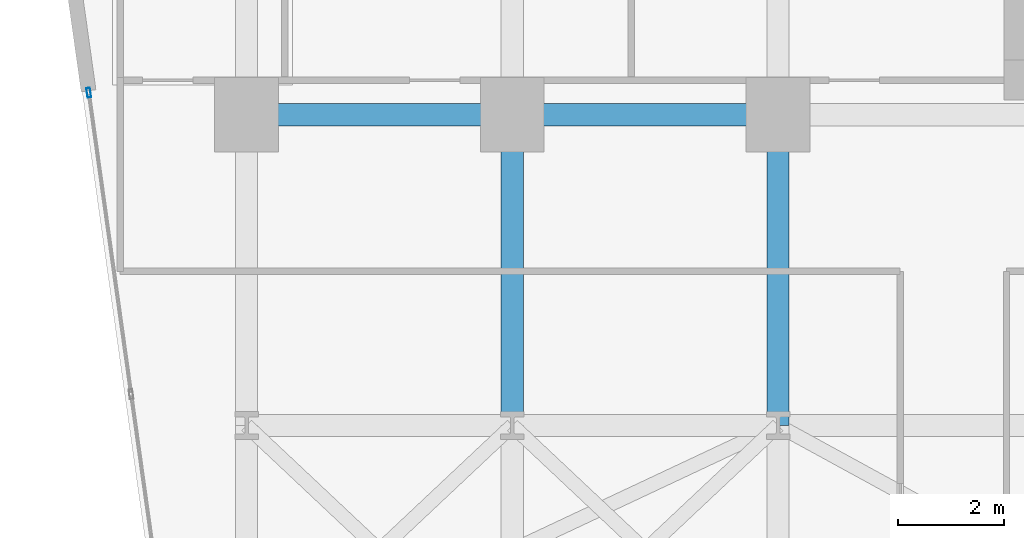
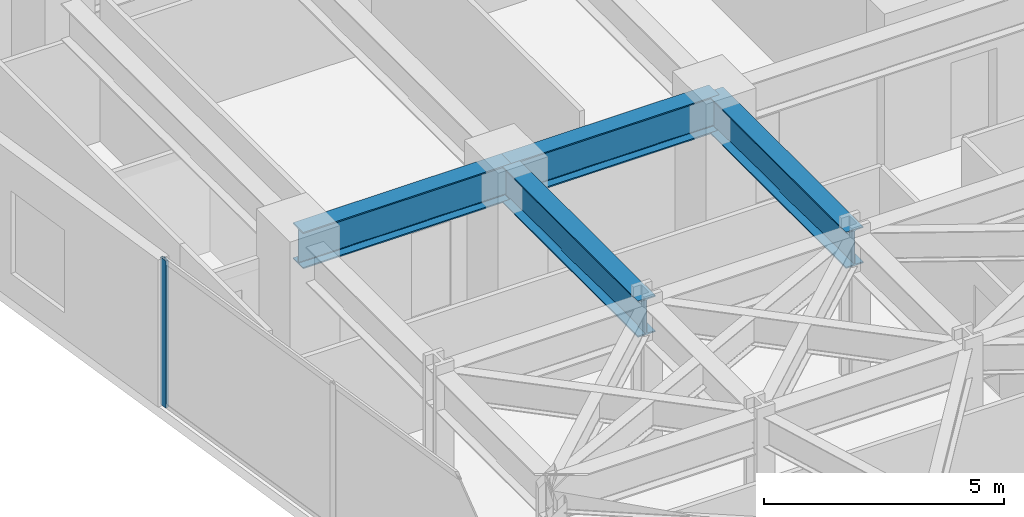
# One storey, part 17 of 24: 4 beams, 1 member, 1 element without a shape of its own.
"""IFC4 building model written with IfcOpenShell, lengths in metres."""

from ifc_helpers import new_model, si_unit, direction, frame, origin, origin_2d, place, context, subcontext, project, spatial, hollow_rectangle, i_section, extrude, material, layer, layer_set, material_profile, profile_set, type_object, element, aggregate, save


model = new_model("IFC4")

# Units and contexts
model_context = context("Model", 3, precision=1e-05, world=origin(), true_north=direction((0.0, 1.0)))
body_context = subcontext(model_context, "Body", "Model", "MODEL_VIEW")
ifc_project = project(units=[si_unit("LENGTHUNIT", "METRE"), si_unit("AREAUNIT", "SQUARE_METRE"), si_unit("VOLUMEUNIT", "CUBIC_METRE"), si_unit("PLANEANGLEUNIT", "RADIAN"), si_unit("MASSUNIT", "GRAM", prefix="KILO")], contexts=[model_context])

# Site, building, storey
site_placement = place(None, origin())
site = spatial("IfcSite", under=ifc_project, at=site_placement, CompositionType="ELEMENT")
building_placement = place(site_placement, origin())
building = spatial("IfcBuilding", under=site, at=building_placement, Name="Kravanh Interchange Tower", CompositionType="ELEMENT")
storey_placement = place(building_placement, frame((0.0, 0.0, 53.5)))
storey = spatial("IfcBuildingStorey", under=building, at=storey_placement, Name="L12", CompositionType="ELEMENT", Elevation=53.5)

# Curtain wall, member
ifc_material_1 = material(Name="Anodised Bronze Aluminium", Category="aluminium")
ifc_layer = layer(ifc_material_1, 0.179931640625)
ifc_layer_set = layer_set([ifc_layer], Name="Unitised Curtain Wall System CW-Z1 Lower Office")
curtain_wall_type = type_object("IfcCurtainWallType", Name="Unitised Curtain Wall System CW-Z1 Lower Office", PredefinedType="NOTDEFINED", material=ifc_layer_set)
curtain_wall_placement = place(storey_placement, origin())
curtain_wall = element("IfcCurtainWall", 1, at=curtain_wall_placement, inside=storey, type_object=curtain_wall_type, Name="L12 Unitised Curtain Wall CW-L12-01", PredefinedType="NOTDEFINED")
ifc_material_2 = material(Name="Anodised Bronze Aluminium", Category="aluminium")
ifc_material_profile_1 = material_profile(ifc_material_2, hollow_rectangle(XDim=0.070068359375, YDim=0.179931640625, WallThickness=0.00390625, at=origin_2d()), Name="ALU70X180X4")
ifc_profile_set_1 = profile_set([ifc_material_profile_1], Name="Anodised Bronze Aluminium")
member_type = type_object("IfcMemberType", Name="Curtain Wall Mullion ALU70X180X4 Bronze", PredefinedType="MULLION", material=ifc_profile_set_1)
member_placement = place(storey_placement, frame((5.6298828125, 37.765380859375, 0.0), z_axis=(0.0, 0.0, 1.0), x_axis=(-0.990267585682, -0.139176538065, 0.0)))
member = element("IfcMember", 2, at=member_placement, type_object=member_type, Name="CW-Z1 mullion 7", PredefinedType="MULLION", context=body_context, shape_type="SweptSolid", body=[
    extrude(hollow_rectangle(XDim=0.070068359375, YDim=0.179931640625, WallThickness=0.00390625, at=origin_2d()), origin(), (0.0, 0.0, 1.0), 3.739990234375),
])
aggregate(curtain_wall, [member])

# Beams
ifc_material_3 = material(Name="Structural Steel S355", Category="steel")
ifc_material_profile_2 = material_profile(ifc_material_3, i_section(OverallWidth=0.41796875, OverallDepth=0.927001953125, WebThickness=0.019287109375, FlangeThickness=0.031982421875, FilletRadius=0.028076171875, at=origin_2d()), Name="W36X231")
ifc_profile_set_2 = profile_set([ifc_material_profile_2], Name="Structural Steel S355")
beam_type = type_object("IfcBeamType", Name="Floor Beam W36X231 Structural Steel S355", PredefinedType="BEAM", material=ifc_profile_set_2)
beam_1_placement = place(storey_placement, frame((18.60009765625, 37.35009765625, 3.276611328125), z_axis=(-1.0, 0.0, 0.0), x_axis=(0.0, -1.0, 0.0)))
element("IfcBeam", 3, at=beam_1_placement, inside=storey, type_object=beam_type, Name="L12 Primary Floor Girder 28", PredefinedType="BEAM", context=body_context, shape_type="SweptSolid", body=[
    extrude(i_section(OverallWidth=0.41796875, OverallDepth=0.927001953125, WebThickness=0.019287109375, FlangeThickness=0.031982421875, FilletRadius=0.028076171875, at=origin_2d()), origin(), (0.0, 0.0, 1.0), 5.0),
])
beam_2_placement = place(storey_placement, frame((18.60009765625, 37.35009765625, 3.276611328125), z_axis=(0.0, -1.0, 0.0), x_axis=(1.0, 0.0, 0.0)))
element("IfcBeam", 4, at=beam_2_placement, inside=storey, type_object=beam_type, Name="L12 Primary Floor Girder 29", PredefinedType="BEAM", context=body_context, shape_type="SweptSolid", body=[
    extrude(i_section(OverallWidth=0.41796875, OverallDepth=0.927001953125, WebThickness=0.019287109375, FlangeThickness=0.031982421875, FilletRadius=0.028076171875, at=origin_2d()), origin(), (0.0, 0.0, 1.0), 5.85009765625),
])
beam_3_placement = place(storey_placement, frame((13.60009765625, 37.35009765625, 3.276611328125), z_axis=(-1.0, 0.0, 0.0), x_axis=(0.0, -1.0, 0.0)))
element("IfcBeam", 5, at=beam_3_placement, inside=storey, type_object=beam_type, Name="L12 Primary Floor Girder 32", PredefinedType="BEAM", context=body_context, shape_type="SweptSolid", body=[
    extrude(i_section(OverallWidth=0.41796875, OverallDepth=0.927001953125, WebThickness=0.019287109375, FlangeThickness=0.031982421875, FilletRadius=0.028076171875, at=origin_2d()), origin(), (0.0, 0.0, 1.0), 5.0),
])
beam_4_placement = place(storey_placement, frame((13.60009765625, 37.35009765625, 3.276611328125), z_axis=(0.0, -1.0, 0.0), x_axis=(1.0, 0.0, 0.0)))
element("IfcBeam", 6, at=beam_4_placement, inside=storey, type_object=beam_type, Name="L12 Primary Floor Girder 33", PredefinedType="BEAM", context=body_context, shape_type="SweptSolid", body=[
    extrude(i_section(OverallWidth=0.41796875, OverallDepth=0.927001953125, WebThickness=0.019287109375, FlangeThickness=0.031982421875, FilletRadius=0.028076171875, at=origin_2d()), origin(), (0.0, 0.0, 1.0), 5.85009765625),
])

save(model, "model.ifc")
